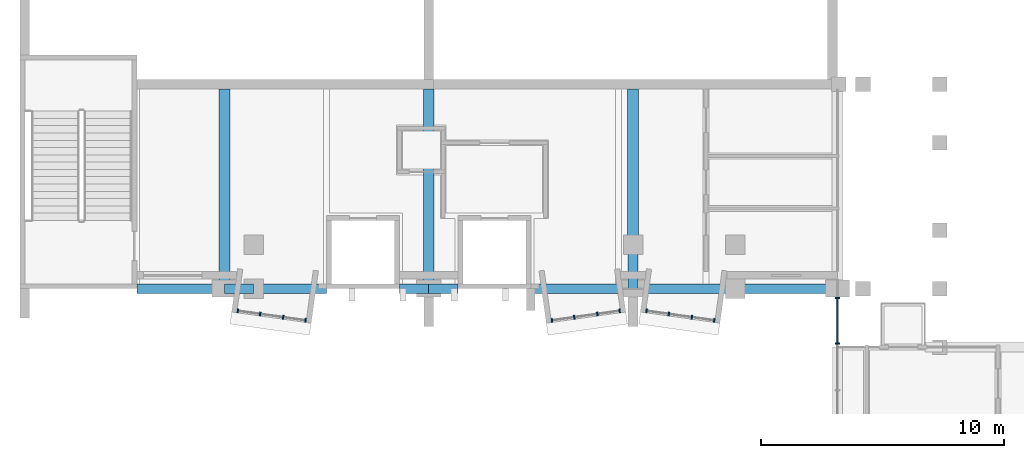
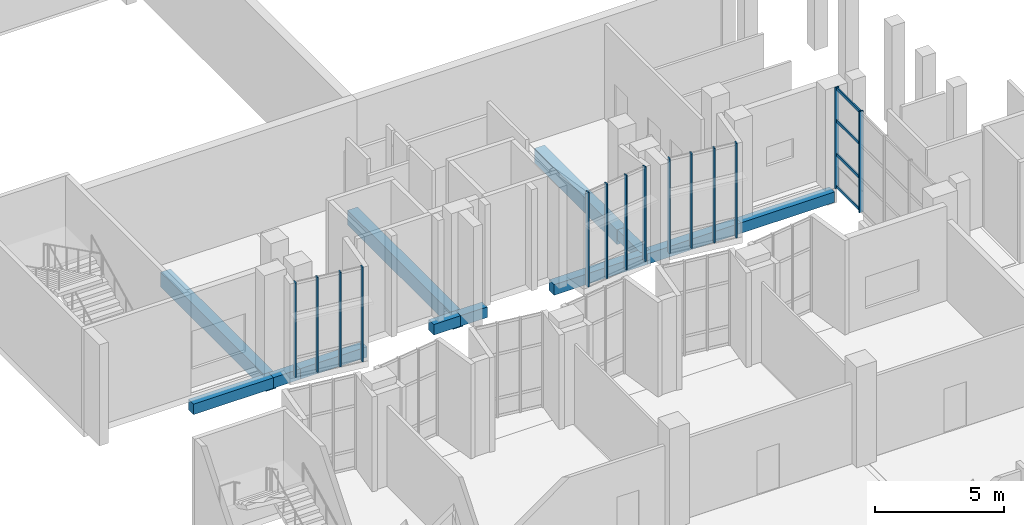
# One storey, part 7 of 91: 18 members, 12 beams, 4 elements without a shape of their own.
"""IFC4 building model written with IfcOpenShell, lengths in metres."""

from ifc_helpers import new_model, si_unit, direction, frame, origin, origin_2d, place, context, subcontext, project, spatial, rectangle, extrude, material, layer, layer_set, material_profile, profile_set, type_object, element, aggregate, save


model = new_model("IFC4")

# Units and contexts
model_context = context("Model", 3, precision=1e-05, world=origin(), true_north=direction((0.0, 1.0)))
body_context = subcontext(model_context, "Body", "Model", "MODEL_VIEW")
ifc_project = project(units=[si_unit("LENGTHUNIT", "METRE"), si_unit("AREAUNIT", "SQUARE_METRE"), si_unit("VOLUMEUNIT", "CUBIC_METRE"), si_unit("PLANEANGLEUNIT", "RADIAN"), si_unit("MASSUNIT", "GRAM", prefix="KILO")], contexts=[model_context])

# Site, building, storey
site_placement = place(None, origin())
site = spatial("IfcSite", under=ifc_project, at=site_placement, CompositionType="ELEMENT")
building_placement = place(site_placement, origin())
building = spatial("IfcBuilding", under=site, at=building_placement, Name="Kiln Court Media Centre", CompositionType="ELEMENT")
storey_placement = place(building_placement, frame((0.0, 0.0, 5.39990234375)))
storey = spatial("IfcBuildingStorey", under=building, at=storey_placement, Name="L01", CompositionType="ELEMENT", Elevation=5.39990234375)

# Curtain wall, members
ifc_material_1 = material(Name="Aluminium 6063-T6", Category="aluminium")
ifc_layer_1 = layer(ifc_material_1, 0.1201171875)
ifc_layer_set_1 = layer_set([ifc_layer_1], Name="Aluminium stick curtain wall, gallery")
curtain_wall_type_1 = type_object("IfcCurtainWallType", Name="Aluminium stick curtain wall, gallery", PredefinedType="USERDEFINED", material=ifc_layer_set_1)
curtain_wall_1_placement = place(storey_placement, origin())
curtain_wall_1 = element("IfcCurtainWall", 1, at=curtain_wall_1_placement, inside=storey, type_object=curtain_wall_type_1, Name="Foyer west glazing L01", ObjectType="STICK CURTAIN WALL", PredefinedType="USERDEFINED")
ifc_material_2 = material(Name="Aluminium 6063-T6", Category="aluminium")
ifc_material_profile_1 = material_profile(ifc_material_2, rectangle(XDim=0.06005859375, YDim=0.179931640625, at=origin_2d()), Name="Aluminium hall mullion 60x180")
ifc_profile_set_1 = profile_set([ifc_material_profile_1], Name="Aluminium 6063-T6")
member_type_1 = type_object("IfcMemberType", Name="Aluminium hall mullion 60x180", PredefinedType="MULLION", material=ifc_profile_set_1)
member_1_placement = place(storey_placement, frame((33.60009765625, 31.33740234375, 0.0), z_axis=(0.0, 0.0, 1.0), x_axis=(0.0, 1.0, 0.0)))
member_1 = element("IfcMember", 2, at=member_1_placement, type_object=member_type_1, Name="CW1-62 mullion 4", PredefinedType="MULLION", context=body_context, shape_type="SweptSolid", body=[
    extrude(rectangle(XDim=0.06005859375, YDim=0.179931640625, at=origin_2d()), origin(), (0.0, 0.0, 1.0), 4.800048828125),
])
member_2_placement = place(storey_placement, frame((33.60009765625, 33.219970703125, 0.0), z_axis=(0.0, 0.0, 1.0), x_axis=(0.0, 1.0, 0.0)))
member_2 = element("IfcMember", 3, at=member_2_placement, type_object=member_type_1, Name="CW1-62 mullion 5", PredefinedType="MULLION", context=body_context, shape_type="SweptSolid", body=[
    extrude(rectangle(XDim=0.06005859375, YDim=0.179931640625, at=origin_2d()), origin(), (0.0, 0.0, 1.0), 4.800048828125),
])
ifc_material_3 = material(Name="Aluminium 6063-T6", Category="aluminium")
ifc_material_profile_2 = material_profile(ifc_material_3, rectangle(XDim=0.06005859375, YDim=0.139892578125, at=origin_2d()), Name="Aluminium hall transom 60x140")
ifc_profile_set_2 = profile_set([ifc_material_profile_2], Name="Aluminium 6063-T6")
member_type_2 = type_object("IfcMemberType", Name="Aluminium hall transom 60x140", PredefinedType="USERDEFINED", material=ifc_profile_set_2)
member_3_placement = place(storey_placement, frame((33.60009765625, 31.367431640625, 0.070068359375), z_axis=(0.0, 1.0, 0.0), x_axis=(-1.0, 0.0, 0.0)))
member_3 = element("IfcMember", 4, at=member_3_placement, type_object=member_type_2, Name="CW1-62 transom 4.1", ObjectType="TRANSOM", PredefinedType="USERDEFINED", context=body_context, shape_type="SweptSolid", body=[
    extrude(rectangle(XDim=0.06005859375, YDim=0.139892578125, at=origin_2d()), origin(), (0.0, 0.0, 1.0), 1.822509765625),
])
member_4_placement = place(storey_placement, frame((33.60009765625, 31.367431640625, 1.60009765625), z_axis=(0.0, 1.0, 0.0), x_axis=(-1.0, 0.0, 0.0)))
member_4 = element("IfcMember", 5, at=member_4_placement, type_object=member_type_2, Name="CW1-62 transom 4.2", ObjectType="TRANSOM", PredefinedType="USERDEFINED", context=body_context, shape_type="SweptSolid", body=[
    extrude(rectangle(XDim=0.06005859375, YDim=0.139892578125, at=origin_2d()), origin(), (0.0, 0.0, 1.0), 1.822509765625),
])
member_5_placement = place(storey_placement, frame((33.60009765625, 31.367431640625, 3.2001953125), z_axis=(0.0, 1.0, 0.0), x_axis=(-1.0, 0.0, 0.0)))
member_5 = element("IfcMember", 6, at=member_5_placement, type_object=member_type_2, Name="CW1-62 transom 4.3", ObjectType="TRANSOM", PredefinedType="USERDEFINED", context=body_context, shape_type="SweptSolid", body=[
    extrude(rectangle(XDim=0.06005859375, YDim=0.139892578125, at=origin_2d()), origin(), (0.0, 0.0, 1.0), 1.822509765625),
])
member_6_placement = place(storey_placement, frame((33.60009765625, 31.367431640625, 4.72998046875), z_axis=(0.0, 1.0, 0.0), x_axis=(-1.0, 0.0, 0.0)))
member_6 = element("IfcMember", 7, at=member_6_placement, type_object=member_type_2, Name="CW1-62 transom 4.4", ObjectType="TRANSOM", PredefinedType="USERDEFINED", context=body_context, shape_type="SweptSolid", body=[
    extrude(rectangle(XDim=0.06005859375, YDim=0.139892578125, at=origin_2d()), origin(), (0.0, 0.0, 1.0), 1.822509765625),
])
aggregate(curtain_wall_1, [member_1, member_2, member_3, member_4, member_5, member_6])

ifc_material_4 = material(Name="Aluminium 6063-T6", Category="aluminium")
ifc_layer_2 = layer(ifc_material_4, 0.1201171875)
ifc_layer_set_2 = layer_set([ifc_layer_2], Name="Aluminium unitised bay curtain wall")
curtain_wall_type_2 = type_object("IfcCurtainWallType", Name="Aluminium unitised bay curtain wall", PredefinedType="USERDEFINED", material=ifc_layer_set_2)
curtain_wall_2_placement = place(storey_placement, origin())
curtain_wall_2 = element("IfcCurtainWall", 8, at=curtain_wall_2_placement, inside=storey, type_object=curtain_wall_type_2, Name="BAY V4-S-L01-03 front", ObjectType="UNITISED CURTAIN WALL", PredefinedType="USERDEFINED")
ifc_material_5 = material(Name="Aluminium 6063-T6", Category="aluminium")
ifc_material_profile_3 = material_profile(ifc_material_5, rectangle(XDim=0.06005859375, YDim=0.159912109375, at=origin_2d()), Name="Aluminium mullion 60x160")
ifc_profile_set_3 = profile_set([ifc_material_profile_3], Name="Aluminium 6063-T6")
member_type_3 = type_object("IfcMemberType", Name="Aluminium mullion 60x160", PredefinedType="MULLION", material=ifc_profile_set_3)
member_7_placement = place(storey_placement, frame((8.952880859375, 32.6865234375, 0.0), z_axis=(0.0, 0.0, 1.0), x_axis=(0.990269562409, -0.139162472554, 0.0)))
member_7 = element("IfcMember", 9, at=member_7_placement, type_object=member_type_3, Name="CW1-01 mullion 1", PredefinedType="MULLION", context=body_context, shape_type="SweptSolid", body=[
    extrude(rectangle(XDim=0.06005859375, YDim=0.159912109375, at=origin_2d()), origin(), (0.0, 0.0, 1.0), 4.5),
])
member_8_placement = place(storey_placement, frame((9.870361328125, 32.557373046875, 0.0), z_axis=(0.0, 0.0, 1.0), x_axis=(0.990269562409, -0.139162472554, 0.0)))
member_8 = element("IfcMember", 10, at=member_8_placement, type_object=member_type_3, Name="CW1-01 mullion 2", PredefinedType="MULLION", context=body_context, shape_type="SweptSolid", body=[
    extrude(rectangle(XDim=0.06005859375, YDim=0.159912109375, at=origin_2d()), origin(), (0.0, 0.0, 1.0), 4.5),
])
member_9_placement = place(storey_placement, frame((10.81787109375, 32.42431640625, 0.0), z_axis=(0.0, 0.0, 1.0), x_axis=(0.990269562409, -0.139162472554, 0.0)))
member_9 = element("IfcMember", 11, at=member_9_placement, type_object=member_type_3, Name="CW1-01 mullion 3", PredefinedType="MULLION", context=body_context, shape_type="SweptSolid", body=[
    extrude(rectangle(XDim=0.06005859375, YDim=0.159912109375, at=origin_2d()), origin(), (0.0, 0.0, 1.0), 4.5),
])
member_10_placement = place(storey_placement, frame((11.735595703125, 32.29541015625, 0.0), z_axis=(0.0, 0.0, 1.0), x_axis=(0.990269562409, -0.139162472554, 0.0)))
member_10 = element("IfcMember", 12, at=member_10_placement, type_object=member_type_3, Name="CW1-01 mullion 4", PredefinedType="MULLION", context=body_context, shape_type="SweptSolid", body=[
    extrude(rectangle(XDim=0.06005859375, YDim=0.159912109375, at=origin_2d()), origin(), (0.0, 0.0, 1.0), 4.5),
])
aggregate(curtain_wall_2, [member_7, member_8, member_9, member_10])

curtain_wall_3_placement = place(storey_placement, origin())
curtain_wall_3 = element("IfcCurtainWall", 13, at=curtain_wall_3_placement, inside=storey, type_object=curtain_wall_type_2, Name="BAY V4-S-L01-06 front", ObjectType="UNITISED CURTAIN WALL", PredefinedType="USERDEFINED")
member_11_placement = place(storey_placement, frame((21.864501953125, 32.29541015625, 0.0), z_axis=(0.0, 0.0, 1.0), x_axis=(0.990269562409, 0.139162472554, 0.0)))
member_11 = element("IfcMember", 14, at=member_11_placement, type_object=member_type_3, Name="CW1-02 mullion 1", PredefinedType="MULLION", context=body_context, shape_type="SweptSolid", body=[
    extrude(rectangle(XDim=0.06005859375, YDim=0.159912109375, at=origin_2d()), origin(), (0.0, 0.0, 1.0), 4.5),
])
member_12_placement = place(storey_placement, frame((22.7822265625, 32.42431640625, 0.0), z_axis=(0.0, 0.0, 1.0), x_axis=(0.990269562409, 0.139162472554, 0.0)))
member_12 = element("IfcMember", 15, at=member_12_placement, type_object=member_type_3, Name="CW1-02 mullion 2", PredefinedType="MULLION", context=body_context, shape_type="SweptSolid", body=[
    extrude(rectangle(XDim=0.06005859375, YDim=0.159912109375, at=origin_2d()), origin(), (0.0, 0.0, 1.0), 4.5),
])
member_13_placement = place(storey_placement, frame((23.7294921875, 32.557373046875, 0.0), z_axis=(0.0, 0.0, 1.0), x_axis=(0.990269562409, 0.139162472554, 0.0)))
member_13 = element("IfcMember", 16, at=member_13_placement, type_object=member_type_3, Name="CW1-02 mullion 3", PredefinedType="MULLION", context=body_context, shape_type="SweptSolid", body=[
    extrude(rectangle(XDim=0.06005859375, YDim=0.159912109375, at=origin_2d()), origin(), (0.0, 0.0, 1.0), 4.5),
])
member_14_placement = place(storey_placement, frame((24.647216796875, 32.6865234375, 0.0), z_axis=(0.0, 0.0, 1.0), x_axis=(0.990269562409, 0.139162472554, 0.0)))
member_14 = element("IfcMember", 17, at=member_14_placement, type_object=member_type_3, Name="CW1-02 mullion 4", PredefinedType="MULLION", context=body_context, shape_type="SweptSolid", body=[
    extrude(rectangle(XDim=0.06005859375, YDim=0.159912109375, at=origin_2d()), origin(), (0.0, 0.0, 1.0), 4.5),
])
aggregate(curtain_wall_3, [member_11, member_12, member_13, member_14])

curtain_wall_4_placement = place(storey_placement, origin())
curtain_wall_4 = element("IfcCurtainWall", 18, at=curtain_wall_4_placement, inside=storey, type_object=curtain_wall_type_2, Name="BAY V4-S-L01-07 front", ObjectType="UNITISED CURTAIN WALL", PredefinedType="USERDEFINED")
member_15_placement = place(storey_placement, frame((25.7529296875, 32.6865234375, 0.0), z_axis=(0.0, 0.0, 1.0), x_axis=(0.990269562409, -0.139162472554, 0.0)))
member_15 = element("IfcMember", 19, at=member_15_placement, type_object=member_type_3, Name="CW1-03 mullion 1", PredefinedType="MULLION", context=body_context, shape_type="SweptSolid", body=[
    extrude(rectangle(XDim=0.06005859375, YDim=0.159912109375, at=origin_2d()), origin(), (0.0, 0.0, 1.0), 4.5),
])
member_16_placement = place(storey_placement, frame((26.67041015625, 32.557373046875, 0.0), z_axis=(0.0, 0.0, 1.0), x_axis=(0.990269562409, -0.139162472554, 0.0)))
member_16 = element("IfcMember", 20, at=member_16_placement, type_object=member_type_3, Name="CW1-03 mullion 2", PredefinedType="MULLION", context=body_context, shape_type="SweptSolid", body=[
    extrude(rectangle(XDim=0.06005859375, YDim=0.159912109375, at=origin_2d()), origin(), (0.0, 0.0, 1.0), 4.5),
])
member_17_placement = place(storey_placement, frame((27.617919921875, 32.42431640625, 0.0), z_axis=(0.0, 0.0, 1.0), x_axis=(0.990269562409, -0.139162472554, 0.0)))
member_17 = element("IfcMember", 21, at=member_17_placement, type_object=member_type_3, Name="CW1-03 mullion 3", PredefinedType="MULLION", context=body_context, shape_type="SweptSolid", body=[
    extrude(rectangle(XDim=0.06005859375, YDim=0.159912109375, at=origin_2d()), origin(), (0.0, 0.0, 1.0), 4.5),
])
member_18_placement = place(storey_placement, frame((28.535400390625, 32.29541015625, 0.0), z_axis=(0.0, 0.0, 1.0), x_axis=(0.990269562409, -0.139162472554, 0.0)))
member_18 = element("IfcMember", 22, at=member_18_placement, type_object=member_type_3, Name="CW1-03 mullion 4", PredefinedType="MULLION", context=body_context, shape_type="SweptSolid", body=[
    extrude(rectangle(XDim=0.06005859375, YDim=0.159912109375, at=origin_2d()), origin(), (0.0, 0.0, 1.0), 4.5),
])
aggregate(curtain_wall_4, [member_15, member_16, member_17, member_18])

# Beams
ifc_material_6 = material(Name="Concrete C30/37", Category="concrete")
ifc_material_profile_4 = material_profile(ifc_material_6, rectangle(XDim=0.39990234375, YDim=0.5, at=origin_2d()), Name="RC 400x500")
ifc_profile_set_4 = profile_set([ifc_material_profile_4], Name="Concrete C30/37")
beam_type_1 = type_object("IfcBeamType", Name="Concrete C30/37 beam 400x500", PredefinedType="BEAM", material=ifc_profile_set_4)
beam_1_placement = place(storey_placement, frame((25.199951171875, 33.60009765625, -0.5498046875), z_axis=(0.0, 1.0, 0.0), x_axis=(-1.0, 0.0, 0.0)))
element("IfcBeam", 23, at=beam_1_placement, inside=storey, type_object=beam_type_1, Name="L01-B-1057", PredefinedType="BEAM", context=body_context, shape_type="SweptSolid", body=[
    extrude(rectangle(XDim=0.39990234375, YDim=0.5, at=origin_2d()), origin(), (0.0, 0.0, 1.0), 1.798828125),
])
beam_2_placement = place(storey_placement, frame((4.800048828125, 33.60009765625, -0.5498046875), z_axis=(1.0, 0.0, 0.0), x_axis=(0.0, 1.0, 0.0)))
element("IfcBeam", 24, at=beam_2_placement, inside=storey, type_object=beam_type_1, Name="L01-B-1061", PredefinedType="BEAM", context=body_context, shape_type="SweptSolid", body=[
    extrude(rectangle(XDim=0.39990234375, YDim=0.5, at=origin_2d()), origin(), (0.0, 0.0, 1.0), 3.599853515625),
])
beam_3_placement = place(storey_placement, frame((8.39990234375, 33.60009765625, -0.5498046875), z_axis=(1.0, 0.0, 0.0), x_axis=(0.0, 1.0, 0.0)))
element("IfcBeam", 25, at=beam_3_placement, inside=storey, type_object=beam_type_1, Name="L01-B-1062", PredefinedType="BEAM", context=body_context, shape_type="SweptSolid", body=[
    extrude(rectangle(XDim=0.39990234375, YDim=0.5, at=origin_2d()), origin(), (0.0, 0.0, 1.0), 1.201171875),
])
beam_4_placement = place(storey_placement, frame((9.60107421875, 33.60009765625, -0.5498046875), z_axis=(1.0, 0.0, 0.0), x_axis=(0.0, 1.0, 0.0)))
element("IfcBeam", 26, at=beam_4_placement, inside=storey, type_object=beam_type_1, Name="L01-B-1063", PredefinedType="BEAM", context=body_context, shape_type="SweptSolid", body=[
    extrude(rectangle(XDim=0.39990234375, YDim=0.5, at=origin_2d()), origin(), (0.0, 0.0, 1.0), 2.9990234375),
])
for number, where, z_axis, x_axis, name in (
    (27, (15.60009765625, 33.60009765625, -0.5498046875), (1.0, 0.0, 0.0), (0.0, 1.0, 0.0), "L01-B-1064"),
    (28, (16.800048828125, 33.60009765625, -0.5498046875), (1.0, 0.0, 0.0), (0.0, 1.0, 0.0), "L01-B-1065"),
):
    element("IfcBeam", number, at=place(storey_placement, frame(where, z_axis=z_axis, x_axis=x_axis)), inside=storey, type_object=beam_type_1, Name=name, PredefinedType="BEAM", context=body_context, shape_type="SweptSolid", body=[
        extrude(rectangle(XDim=0.39990234375, YDim=0.5, at=origin_2d()), origin(), (0.0, 0.0, 1.0), 1.199951171875),
    ])
beam_5_placement = place(storey_placement, frame((21.0, 33.60009765625, -0.5498046875), z_axis=(1.0, 0.0, 0.0), x_axis=(0.0, 1.0, 0.0)))
element("IfcBeam", 29, at=beam_5_placement, inside=storey, type_object=beam_type_1, Name="L01-B-1066", PredefinedType="BEAM", context=body_context, shape_type="SweptSolid", body=[
    extrude(rectangle(XDim=0.39990234375, YDim=0.5, at=origin_2d()), origin(), (0.0, 0.0, 1.0), 4.199951171875),
])
beam_6_placement = place(storey_placement, frame((25.199951171875, 33.60009765625, -0.5498046875), z_axis=(1.0, 0.0, 0.0), x_axis=(0.0, 1.0, 0.0)))
element("IfcBeam", 30, at=beam_6_placement, inside=storey, type_object=beam_type_1, Name="L01-B-1067", PredefinedType="BEAM", context=body_context, shape_type="SweptSolid", body=[
    extrude(rectangle(XDim=0.39990234375, YDim=0.5, at=origin_2d()), origin(), (0.0, 0.0, 1.0), 4.198974609375),
])
beam_7_placement = place(storey_placement, frame((29.39892578125, 33.60009765625, -0.5498046875), z_axis=(1.0, 0.0, 0.0), x_axis=(0.0, 1.0, 0.0)))
element("IfcBeam", 31, at=beam_7_placement, inside=storey, type_object=beam_type_1, Name="L01-B-1068", PredefinedType="BEAM", context=body_context, shape_type="SweptSolid", body=[
    extrude(rectangle(XDim=0.39990234375, YDim=0.5, at=origin_2d()), origin(), (0.0, 0.0, 1.0), 4.201171875),
])
ifc_material_7 = material(Name="Concrete C30/37", Category="concrete")
ifc_material_profile_5 = material_profile(ifc_material_7, rectangle(XDim=0.449951171875, YDim=0.699951171875, at=origin_2d()), Name="RC 450x700")
ifc_profile_set_5 = profile_set([ifc_material_profile_5], Name="Concrete C30/37")
beam_type_2 = type_object("IfcBeamType", Name="Concrete C30/37 beam 450x700", PredefinedType="BEAM", material=ifc_profile_set_5)
for number, where, z_axis, x_axis, name in (
    (32, (8.39990234375, 33.60009765625, -0.64990234375), (0.0, 1.0, 0.0), (-1.0, 0.0, 0.0), "L01-B-1053"),
    (33, (16.800048828125, 33.60009765625, -0.64990234375), (0.0, 1.0, 0.0), (-1.0, 0.0, 0.0), "L01-B-1055"),
):
    element("IfcBeam", number, at=place(storey_placement, frame(where, z_axis=z_axis, x_axis=x_axis)), inside=storey, type_object=beam_type_2, Name=name, PredefinedType="BEAM", context=body_context, shape_type="SweptSolid", body=[
        extrude(rectangle(XDim=0.449951171875, YDim=0.699951171875, at=origin_2d()), origin(), (0.0, 0.0, 1.0), 8.199951171875),
    ])
beam_8_placement = place(storey_placement, frame((25.199951171875, 35.39892578125, -0.64990234375), z_axis=(0.0, 1.0, 0.0), x_axis=(-1.0, 0.0, 0.0)))
element("IfcBeam", 34, at=beam_8_placement, inside=storey, type_object=beam_type_2, Name="L01-B-1058", PredefinedType="BEAM", context=body_context, shape_type="SweptSolid", body=[
    extrude(rectangle(XDim=0.449951171875, YDim=0.699951171875, at=origin_2d()), origin(), (0.0, 0.0, 1.0), 6.401123046875),
])

save(model, "model.ifc")
